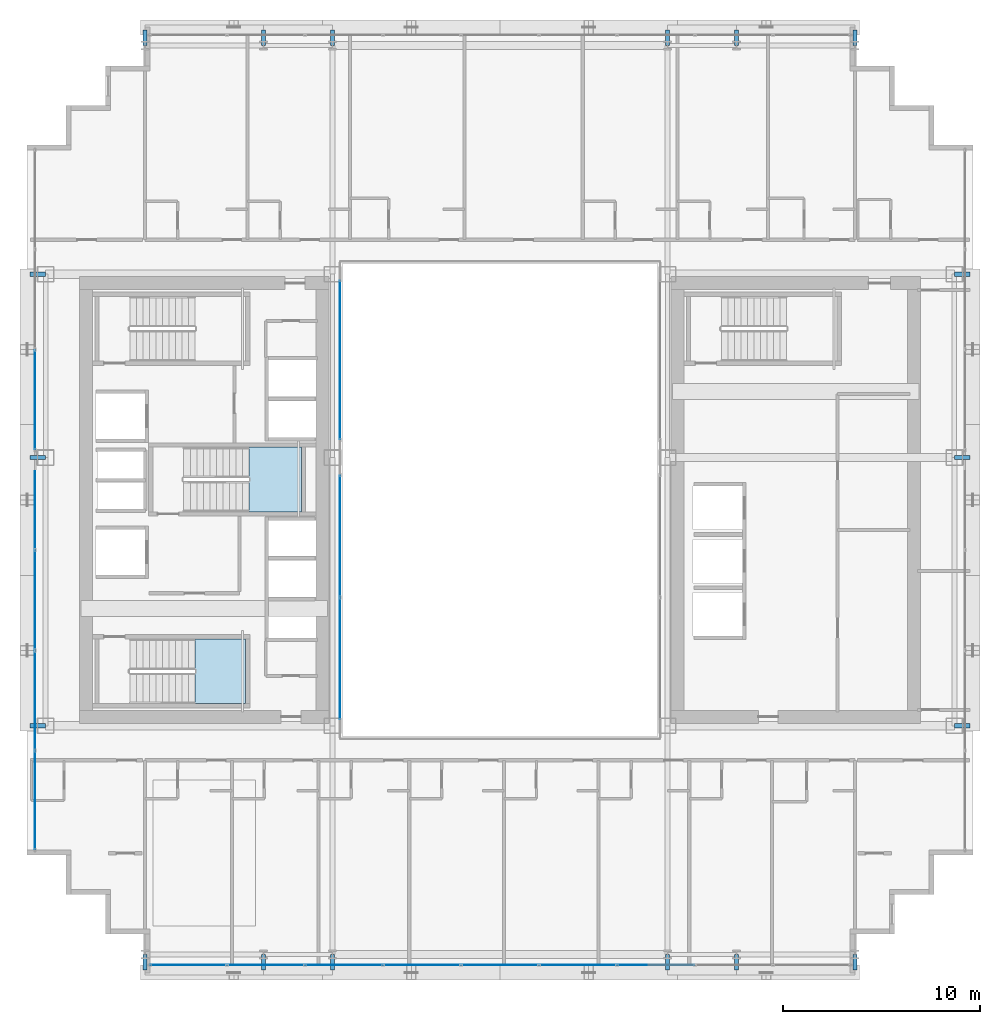
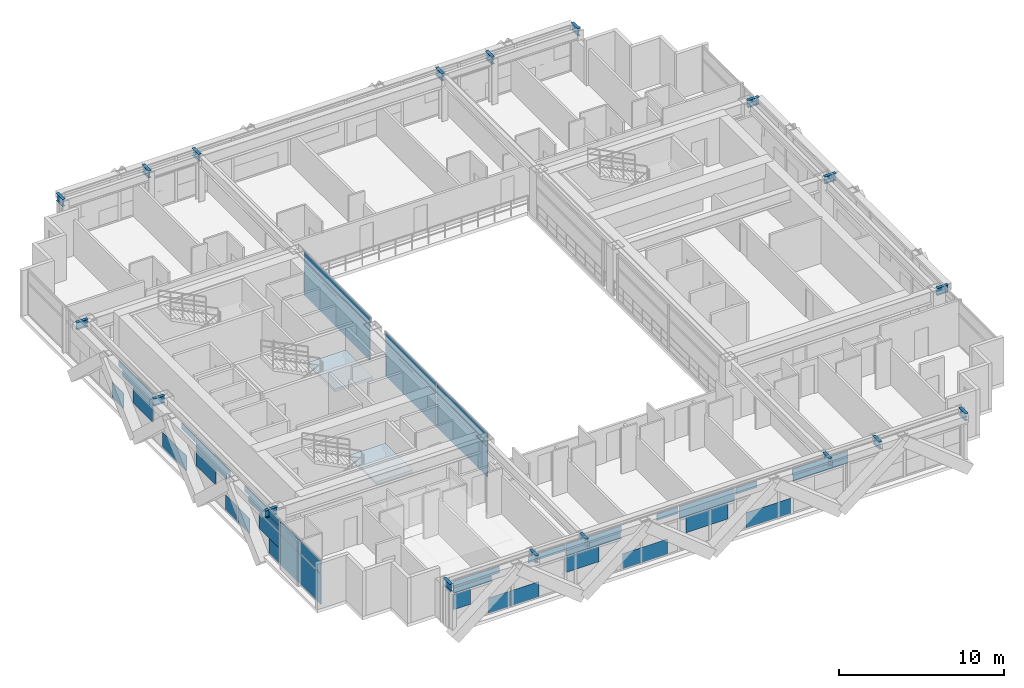
# One storey, part 26 of 39: 40 plates, 18 beams, 2 slabs, 6 elements without a shape of their own.
"""IFC4 building model written with IfcOpenShell, lengths in metres."""

from ifc_helpers import new_model, si_unit, direction, frame, origin, origin_2d, place, context, subcontext, project, spatial, polyline, rectangle, i_section, outline, extrude, source, transform, mapped, material, layer, layer_set, material_profile, profile_set, type_object, element, aggregate, save


model = new_model("IFC4")

# Units and contexts
model_context = context("Model", 3, precision=1e-05, world=origin(), true_north=direction((0.0, 1.0)))
body_context = subcontext(model_context, "Body", "Model", "MODEL_VIEW")
ifc_project = project(units=[si_unit("LENGTHUNIT", "METRE"), si_unit("AREAUNIT", "SQUARE_METRE"), si_unit("VOLUMEUNIT", "CUBIC_METRE"), si_unit("PLANEANGLEUNIT", "RADIAN"), si_unit("MASSUNIT", "GRAM", prefix="KILO")], contexts=[model_context])

# Site, building, storey
site_placement = place(None, origin())
site = spatial("IfcSite", under=ifc_project, at=site_placement, CompositionType="ELEMENT")
building_placement = place(site_placement, origin())
building = spatial("IfcBuilding", under=site, at=building_placement, Name="Ocotamira Hotel", CompositionType="ELEMENT")
storey_placement = place(building_placement, frame((0.0, 0.0, 104.39990234375)))
storey = spatial("IfcBuildingStorey", under=building, at=storey_placement, Name="L25", CompositionType="ELEMENT", Elevation=104.39990234375)

# Beams
ifc_material_1 = material(Name="Steel ASTM A992 Grade 50", Category="steel")
ifc_material_profile = material_profile(ifc_material_1, i_section(OverallWidth=0.2099609375, OverallDepth=0.537109375, WebThickness=0.010986328125, FlangeThickness=0.017333984375, FilletRadius=0.012939453125, at=origin_2d()), Name="W21X68")
ifc_profile_set = profile_set([ifc_material_profile], Name="Steel ASTM A992 Grade 50")
beam_type = type_object("IfcBeamType", Name="BM-SEC-W21X68", PredefinedType="JOIST", material=ifc_profile_set)
shared_shape_1 = source(origin(), body_context, "Body", "SweptSolid", [
    extrude(i_section(OverallWidth=0.2099609375, OverallDepth=0.537109375, WebThickness=0.010986328125, FlangeThickness=0.017333984375, FilletRadius=0.012939453125, at=origin_2d()), origin(), (0.0, 0.0, 1.0), 0.800048828125),
])
for number, where, z_axis, x_axis, name in (
    (1, (14.0, 2.949951171875, 3.091552734375), (0.0, -1.0, 0.0), (1.0, 0.0, 0.0), "L25 South Edge Header X14"),
    (2, (14.0, 49.050048828125, 3.091552734375), (0.0, 1.0, 0.0), (-1.0, 0.0, 0.0), "L25 North Edge Header X14"),
    (3, (20.0, 2.949951171875, 3.091552734375), (0.0, -1.0, 0.0), (1.0, 0.0, 0.0), "L25 South Edge Header X20"),
    (4, (20.0, 49.050048828125, 3.091552734375), (0.0, 1.0, 0.0), (-1.0, 0.0, 0.0), "L25 North Edge Header X20"),
    (5, (23.5, 2.949951171875, 3.091552734375), (0.0, -1.0, 0.0), (1.0, 0.0, 0.0), "L25 South Edge Header X23.5"),
    (6, (23.5, 49.050048828125, 3.091552734375), (0.0, 1.0, 0.0), (-1.0, 0.0, 0.0), "L25 North Edge Header X23.5"),
    (7, (40.5, 2.949951171875, 3.091552734375), (0.0, -1.0, 0.0), (1.0, 0.0, 0.0), "L25 South Edge Header X40.5"),
    (8, (40.5, 49.050048828125, 3.091552734375), (0.0, 1.0, 0.0), (-1.0, 0.0, 0.0), "L25 North Edge Header X40.5"),
    (9, (44.0, 2.949951171875, 3.091552734375), (0.0, -1.0, 0.0), (1.0, 0.0, 0.0), "L25 South Edge Header X44"),
    (10, (44.0, 49.050048828125, 3.091552734375), (0.0, 1.0, 0.0), (-1.0, 0.0, 0.0), "L25 North Edge Header X44"),
    (11, (50.0, 2.949951171875, 3.091552734375), (0.0, -1.0, 0.0), (1.0, 0.0, 0.0), "L25 South Edge Header X50"),
    (12, (50.0, 49.050048828125, 3.091552734375), (0.0, 1.0, 0.0), (-1.0, 0.0, 0.0), "L25 North Edge Header X50"),
    (13, (8.949951171875, 14.550048828125, 3.091552734375), (-1.0, 0.0, 0.0), (0.0, -1.0, 0.0), "L25 West Edge Header Y14.55"),
    (14, (55.050048828125, 14.550048828125, 3.091552734375), (1.0, 0.0, 0.0), (0.0, 1.0, 0.0), "L25 East Edge Header Y14.55"),
    (15, (8.949951171875, 28.14990234375, 3.091552734375), (-1.0, 0.0, 0.0), (0.0, -1.0, 0.0), "L25 West Edge Header Y28.15"),
    (16, (55.050048828125, 28.14990234375, 3.091552734375), (1.0, 0.0, 0.0), (0.0, 1.0, 0.0), "L25 East Edge Header Y28.15"),
    (17, (8.949951171875, 37.449951171875, 3.091552734375), (-1.0, 0.0, 0.0), (0.0, -1.0, 0.0), "L25 West Edge Header Y37.45"),
    (18, (55.050048828125, 37.449951171875, 3.091552734375), (1.0, 0.0, 0.0), (0.0, 1.0, 0.0), "L25 East Edge Header Y37.45"),
):
    element("IfcBeam", number, at=place(storey_placement, frame(where, z_axis=z_axis, x_axis=x_axis)), inside=storey, type_object=beam_type, Name=name, PredefinedType="JOIST", context=body_context, shape_type="MappedRepresentation", body=[
        mapped(shared_shape_1, transform((0.0, 0.0, 0.0), scale=1.0)),
    ])

# Stair, slab
ifc_material_2 = material(Name="Concrete C40/50", Category="concrete")
stair_type = type_object("IfcStairType", Name="ST-CORE-1560", PredefinedType="HALF_TURN_STAIR", material=ifc_material_2)
stair_1_placement = place(storey_placement, origin())
stair_1 = element("IfcStair", 19, at=stair_1_placement, inside=storey, type_object=stair_type, Name="L25 Exit Stair ST-1", PredefinedType="HALF_TURN_STAIR")
ifc_layer_1 = layer(ifc_material_2, 0.199951171875)
ifc_layer_set_1 = layer_set([ifc_layer_1], Name="Concrete C40/50")
slab_type = type_object("IfcSlabType", Name="SLB-LAND-200", PredefinedType="LANDING", material=ifc_layer_set_1)
slab_1_placement = place(storey_placement, frame((0.0, 0.0, 1.60009765625)))
slab_1 = element("IfcSlab", 20, at=slab_1_placement, type_object=slab_type, Name="ST-1 landing 1", PredefinedType="LANDING", context=body_context, shape_type="SweptSolid", body=[
    extrude(outline(polyline([(16.530029296875, 15.669921875), (19.090087890625, 15.669921875), (19.090087890625, 18.949951171875), (16.530029296875, 18.949951171875), (16.530029296875, 15.669921875)])), origin(), (0.0, 0.0, 1.0), 0.199951171875),
])
aggregate(stair_1, [slab_1])

stair_2_placement = place(storey_placement, origin())
stair_2 = element("IfcStair", 21, at=stair_2_placement, inside=storey, type_object=stair_type, Name="L25 Exit Stair ST-3", PredefinedType="HALF_TURN_STAIR")
slab_2_placement = place(storey_placement, frame((0.0, 0.0, 1.60009765625)))
slab_2 = element("IfcSlab", 22, at=slab_2_placement, type_object=slab_type, Name="ST-3 landing 1", PredefinedType="LANDING", context=body_context, shape_type="SweptSolid", body=[
    extrude(outline(polyline([(19.260009765625, 25.39990234375), (21.919921875, 25.39990234375), (21.919921875, 28.679931640625), (19.260009765625, 28.679931640625), (19.260009765625, 25.39990234375)])), origin(), (0.0, 0.0, 1.0), 0.199951171875),
])
aggregate(stair_2, [slab_2])

# Curtain wall, plate
ifc_material_3 = material(Name="Anodised pale-metal aluminium and solar glass", Category="aluminium")
ifc_layer_2 = layer(ifc_material_3, 0.179931640625)
ifc_layer_set_2 = layer_set([ifc_layer_2], Name="Anodised pale-metal aluminium and solar glass")
curtain_wall_type_1 = type_object("IfcCurtainWallType", Name="CW-SYS3-Z2", PredefinedType="NOTDEFINED", material=ifc_layer_set_2)
curtain_wall_1_placement = place(storey_placement, origin())
curtain_wall_1 = element("IfcCurtainWall", 23, at=curtain_wall_1_placement, inside=storey, type_object=curtain_wall_type_1, Name="L25 Curtain Wall CW-3 CW-L25-W", PredefinedType="NOTDEFINED")
ifc_material_4 = material(Name="Double-silver low-E insulated solar glass", Category="glass")
ifc_layer_3 = layer(ifc_material_4, 0.031982421875)
ifc_layer_set_3 = layer_set([ifc_layer_3], Name="Double-silver low-E insulated solar glass")
plate_type = type_object("IfcPlateType", Name="CWP-VISION-32", PredefinedType="CURTAIN_PANEL", material=ifc_layer_set_3)
shared_shape_2 = source(origin(), body_context, "Body", "SweptSolid", [
    extrude(rectangle(XDim=4.9658203125, YDim=0.031982421875, at=origin_2d()), origin(), (0.0, 0.0, 1.0), 2.237548828125),
])
plate_1_placement = place(storey_placement, frame((8.419921875, 10.762939453125, 0.0751953125), z_axis=(0.0, 0.0, 1.0), x_axis=(0.0, 1.0, 0.0)))
plate_1 = element("IfcPlate", 24, at=plate_1_placement, type_object=plate_type, Name="CW-3 panel 1.1", PredefinedType="CURTAIN_PANEL", context=body_context, shape_type="MappedRepresentation", body=[
    mapped(shared_shape_2, transform((0.0, 0.0, 0.0), scale=1.0)),
])

# Curtain wall, plates
ifc_layer_4 = layer(ifc_material_3, 0.159912109375)
ifc_layer_set_4 = layer_set([ifc_layer_4], Name="Anodised pale-metal aluminium and solar glass")
curtain_wall_type_2 = type_object("IfcCurtainWallType", Name="CW-SYS6-ATR", PredefinedType="NOTDEFINED", material=ifc_layer_set_4)
curtain_wall_2_placement = place(storey_placement, origin())
curtain_wall_2 = element("IfcCurtainWall", 25, at=curtain_wall_2_placement, inside=storey, type_object=curtain_wall_type_2, Name="L25 Curtain Wall CW-6 CW-L25-ATRW1", PredefinedType="NOTDEFINED")
shared_shape_3 = source(origin(), body_context, "Body", "SweptSolid", [
    extrude(rectangle(XDim=6.1298828125, YDim=0.031982421875, at=origin_2d()), origin(), (0.0, 0.0, 1.0), 2.237548828125),
])
plate_2_placement = place(storey_placement, frame((23.8798828125, 17.945068359375, 0.0751953125), z_axis=(0.0, 0.0, 1.0), x_axis=(0.0, 1.0, 0.0)))
plate_2 = element("IfcPlate", 26, at=plate_2_placement, type_object=plate_type, Name="CW-6 panel 1.1", PredefinedType="CURTAIN_PANEL", context=body_context, shape_type="MappedRepresentation", body=[
    mapped(shared_shape_3, transform((0.0, 0.0, 0.0), scale=1.0)),
])
plate_3_placement = place(storey_placement, frame((23.8798828125, 24.155029296875, 0.0751953125), z_axis=(0.0, 0.0, 1.0), x_axis=(0.0, 1.0, 0.0)))
plate_3 = element("IfcPlate", 27, at=plate_3_placement, type_object=plate_type, Name="CW-6 panel 2.1", PredefinedType="CURTAIN_PANEL", context=body_context, shape_type="MappedRepresentation", body=[
    mapped(shared_shape_3, transform((0.0, 0.0, 0.0), scale=1.0)),
])

# Curtain wall, plate
curtain_wall_3_placement = place(storey_placement, origin())
curtain_wall_3 = element("IfcCurtainWall", 28, at=curtain_wall_3_placement, inside=storey, type_object=curtain_wall_type_2, Name="L25 Curtain Wall CW-6 CW-L25-ATRW2", PredefinedType="NOTDEFINED")
shared_shape_4 = source(origin(), body_context, "Body", "SweptSolid", [
    extrude(rectangle(XDim=8.0400390625, YDim=0.031982421875, at=origin_2d()), origin(), (0.0, 0.0, 1.0), 2.237548828125),
])
plate_4_placement = place(storey_placement, frame((23.8798828125, 33.10009765625, 0.0751953125), z_axis=(0.0, 0.0, 1.0), x_axis=(0.0, 1.0, 0.0)))
plate_4 = element("IfcPlate", 29, at=plate_4_placement, type_object=plate_type, Name="CW-6 panel 1.1", PredefinedType="CURTAIN_PANEL", context=body_context, shape_type="MappedRepresentation", body=[
    mapped(shared_shape_4, transform((0.0, 0.0, 0.0), scale=1.0)),
])

# Curtain wall, plates
curtain_wall_4_placement = place(storey_placement, origin())
curtain_wall_4 = element("IfcCurtainWall", 30, at=curtain_wall_4_placement, inside=storey, type_object=curtain_wall_type_1, Name="L25 Curtain Wall CW-3 CW-L25-S1", PredefinedType="NOTDEFINED")
shared_shape_5 = source(origin(), body_context, "Body", "SweptSolid", [
    extrude(rectangle(XDim=1.184326171875, YDim=0.031982421875, at=origin_2d()), origin(), (0.0, 0.0, 1.0), 1.118896484375),
])
plate_5_placement = place(storey_placement, frame((14.872314453125, 2.419921875, 1.19384765625), z_axis=(0.0, 0.0, 1.0), x_axis=(1.0, 0.0, 0.0)))
plate_5 = element("IfcPlate", 31, at=plate_5_placement, type_object=plate_type, Name="CW-3 panel 1.1.1", PredefinedType="CURTAIN_PANEL", context=body_context, shape_type="MappedRepresentation", body=[
    mapped(shared_shape_5, transform((0.0, 0.0, 0.0), scale=1.0)),
])
shared_shape_6 = source(origin(), body_context, "Body", "SweptSolid", [
    extrude(rectangle(XDim=2.676513671875, YDim=0.031982421875, at=origin_2d()), origin(), (0.0, 0.0, 1.0), 0.39453125),
])
plate_6_placement = place(storey_placement, frame((15.618408203125, 2.419921875, 2.3876953125), z_axis=(0.0, 0.0, 1.0), x_axis=(1.0, 0.0, 0.0)))
plate_6 = element("IfcPlate", 32, at=plate_6_placement, type_object=plate_type, Name="CW-3 panel 1.2.1", PredefinedType="CURTAIN_PANEL", context=body_context, shape_type="MappedRepresentation", body=[
    mapped(shared_shape_6, transform((0.0, 0.0, 0.0), scale=1.0)),
])
shared_shape_7 = source(origin(), body_context, "Body", "SweptSolid", [
    extrude(rectangle(XDim=3.208740234375, YDim=0.031982421875, at=origin_2d()), origin(), (0.0, 0.0, 1.0), 0.4716796875),
])
plate_7_placement = place(storey_placement, frame((15.884521484375, 2.419921875, 2.8134765625), z_axis=(0.0, 0.0, 1.0), x_axis=(1.0, 0.0, 0.0)))
plate_7 = element("IfcPlate", 33, at=plate_7_placement, type_object=plate_type, Name="CW-3 panel 1.2.2", PredefinedType="CURTAIN_PANEL", context=body_context, shape_type="MappedRepresentation", body=[
    mapped(shared_shape_7, transform((0.0, 0.0, 0.0), scale=1.0)),
])
shared_shape_8 = source(origin(), body_context, "Body", "SweptSolid", [
    extrude(rectangle(XDim=2.559814453125, YDim=0.031982421875, at=origin_2d()), origin(), (0.0, 0.0, 1.0), 0.4716796875),
])
plate_8_placement = place(storey_placement, frame((20.791259765625, 2.419921875, 2.8134765625), z_axis=(0.0, 0.0, 1.0), x_axis=(1.0, 0.0, 0.0)))
plate_8 = element("IfcPlate", 34, at=plate_8_placement, type_object=plate_type, Name="CW-3 panel 2.2.1", PredefinedType="CURTAIN_PANEL", context=body_context, shape_type="MappedRepresentation", body=[
    mapped(shared_shape_8, transform((0.0, 0.0, 0.0), scale=1.0)),
])
shared_shape_9 = source(origin(), body_context, "Body", "SweptSolid", [
    extrude(rectangle(XDim=2.313232421875, YDim=0.031982421875, at=origin_2d()), origin(), (0.0, 0.0, 1.0), 1.118896484375),
])
plate_9_placement = place(storey_placement, frame((23.3076171875, 2.419921875, 1.19384765625), z_axis=(0.0, 0.0, 1.0), x_axis=(1.0, 0.0, 0.0)))
plate_9 = element("IfcPlate", 35, at=plate_9_placement, type_object=plate_type, Name="CW-3 panel 3.1.1", PredefinedType="CURTAIN_PANEL", context=body_context, shape_type="MappedRepresentation", body=[
    mapped(shared_shape_9, transform((0.0, 0.0, 0.0), scale=1.0)),
])
shared_shape_10 = source(origin(), body_context, "Body", "SweptSolid", [
    extrude(rectangle(XDim=3.805419921875, YDim=0.031982421875, at=origin_2d()), origin(), (0.0, 0.0, 1.0), 0.42578125),
])
plate_10_placement = place(storey_placement, frame((24.0537109375, 2.419921875, 2.3876953125), z_axis=(0.0, 0.0, 1.0), x_axis=(1.0, 0.0, 0.0)))
plate_10 = element("IfcPlate", 36, at=plate_10_placement, type_object=plate_type, Name="CW-3 panel 3.2.1", PredefinedType="CURTAIN_PANEL", context=body_context, shape_type="MappedRepresentation", body=[
    mapped(shared_shape_10, transform((0.0, 0.0, 0.0), scale=1.0)),
])
plate_11_placement = place(storey_placement, frame((39.9462890625, 2.419921875, 2.3876953125), z_axis=(0.0, 0.0, 1.0), x_axis=(1.0, 0.0, 0.0)))
plate_11 = element("IfcPlate", 37, at=plate_11_placement, type_object=plate_type, Name="CW-3 panel 7.2.2", PredefinedType="CURTAIN_PANEL", context=body_context, shape_type="MappedRepresentation", body=[
    mapped(shared_shape_10, transform((0.0, 0.0, 0.0), scale=1.0)),
])
shared_shape_11 = source(origin(), body_context, "Body", "SweptSolid", [
    extrude(rectangle(XDim=3.87548828125, YDim=0.031982421875, at=origin_2d()), origin(), (0.0, 0.0, 1.0), 0.4716796875),
])
plate_12_placement = place(storey_placement, frame((24.0888671875, 2.419921875, 2.8134765625), z_axis=(0.0, 0.0, 1.0), x_axis=(1.0, 0.0, 0.0)))
plate_12 = element("IfcPlate", 38, at=plate_12_placement, type_object=plate_type, Name="CW-3 panel 3.2.2", PredefinedType="CURTAIN_PANEL", context=body_context, shape_type="MappedRepresentation", body=[
    mapped(shared_shape_11, transform((0.0, 0.0, 0.0), scale=1.0)),
])
plate_13_placement = place(storey_placement, frame((39.9111328125, 2.419921875, 2.8134765625), z_axis=(0.0, 0.0, 1.0), x_axis=(1.0, 0.0, 0.0)))
plate_13 = element("IfcPlate", 39, at=plate_13_placement, type_object=plate_type, Name="CW-3 panel 7.2.1", PredefinedType="CURTAIN_PANEL", context=body_context, shape_type="MappedRepresentation", body=[
    mapped(shared_shape_11, transform((0.0, 0.0, 0.0), scale=1.0)),
])
shared_shape_12 = source(origin(), body_context, "Body", "SweptSolid", [
    extrude(rectangle(XDim=1.470947265625, YDim=0.031982421875, at=origin_2d()), origin(), (0.0, 0.0, 1.0), 0.4716796875),
])
plate_14_placement = place(storey_placement, frame((29.24658203125, 2.419921875, 2.8134765625), z_axis=(0.0, 0.0, 1.0), x_axis=(1.0, 0.0, 0.0)))
plate_14 = element("IfcPlate", 40, at=plate_14_placement, type_object=plate_type, Name="CW-3 panel 4.2.1", PredefinedType="CURTAIN_PANEL", context=body_context, shape_type="MappedRepresentation", body=[
    mapped(shared_shape_12, transform((0.0, 0.0, 0.0), scale=1.0)),
])
plate_15_placement = place(storey_placement, frame((34.75341796875, 2.419921875, 2.8134765625), z_axis=(0.0, 0.0, 1.0), x_axis=(1.0, 0.0, 0.0)))
plate_15 = element("IfcPlate", 41, at=plate_15_placement, type_object=plate_type, Name="CW-3 panel 6.2.1", PredefinedType="CURTAIN_PANEL", context=body_context, shape_type="MappedRepresentation", body=[
    mapped(shared_shape_12, transform((0.0, 0.0, 0.0), scale=1.0)),
])
shared_shape_13 = source(origin(), body_context, "Body", "SweptSolid", [
    extrude(rectangle(XDim=2.9287109375, YDim=0.031982421875, at=origin_2d()), origin(), (0.0, 0.0, 1.0), 1.118896484375),
])
plate_16_placement = place(storey_placement, frame((32.0, 2.419921875, 1.19384765625), z_axis=(0.0, 0.0, 1.0), x_axis=(1.0, 0.0, 0.0)))
plate_16 = element("IfcPlate", 42, at=plate_16_placement, type_object=plate_type, Name="CW-3 panel 5.1.1", PredefinedType="CURTAIN_PANEL", context=body_context, shape_type="MappedRepresentation", body=[
    mapped(shared_shape_13, transform((0.0, 0.0, 0.0), scale=1.0)),
])
shared_shape_14 = source(origin(), body_context, "Body", "SweptSolid", [
    extrude(rectangle(XDim=3.87548828125, YDim=0.031982421875, at=origin_2d()), origin(), (0.0, 0.0, 1.0), 0.8974609375),
])
plate_17_placement = place(storey_placement, frame((32.0, 2.419921875, 2.3876953125), z_axis=(0.0, 0.0, 1.0), x_axis=(1.0, 0.0, 0.0)))
plate_17 = element("IfcPlate", 43, at=plate_17_placement, type_object=plate_type, Name="CW-3 panel 5.2", PredefinedType="CURTAIN_PANEL", context=body_context, shape_type="MappedRepresentation", body=[
    mapped(shared_shape_14, transform((0.0, 0.0, 0.0), scale=1.0)),
])

# Plate
shared_shape_15 = source(origin(), body_context, "Body", "SweptSolid", [
    extrude(rectangle(XDim=4.9658203125, YDim=0.031982421875, at=origin_2d()), origin(), (0.0, 0.0, 1.0), 0.8974609375),
])
plate_18_placement = place(storey_placement, frame((8.419921875, 10.762939453125, 2.3876953125), z_axis=(0.0, 0.0, 1.0), x_axis=(0.0, 1.0, 0.0)))
plate_18 = element("IfcPlate", 44, at=plate_18_placement, type_object=plate_type, Name="CW-3 panel 1.2", PredefinedType="CURTAIN_PANEL", context=body_context, shape_type="MappedRepresentation", body=[
    mapped(shared_shape_15, transform((0.0, 0.0, 0.0), scale=1.0)),
])

shared_shape_16 = source(origin(), body_context, "Body", "SweptSolid", [
    extrude(rectangle(XDim=2.426513671875, YDim=0.031982421875, at=origin_2d()), origin(), (0.0, 0.0, 1.0), 1.118896484375),
])
plate_19_placement = place(storey_placement, frame((8.419921875, 14.538818359375, 1.19384765625), z_axis=(0.0, 0.0, 1.0), x_axis=(0.0, 1.0, 0.0)))
plate_19 = element("IfcPlate", 45, at=plate_19_placement, type_object=plate_type, Name="CW-3 panel 2.1.2", PredefinedType="CURTAIN_PANEL", context=body_context, shape_type="MappedRepresentation", body=[
    mapped(shared_shape_16, transform((0.0, 0.0, 0.0), scale=1.0)),
])

shared_shape_17 = source(origin(), body_context, "Body", "SweptSolid", [
    extrude(rectangle(XDim=3.69189453125, YDim=0.031982421875, at=origin_2d()), origin(), (0.0, 0.0, 1.0), 0.414306640625),
])
plate_20_placement = place(storey_placement, frame((8.419921875, 15.171630859375, 2.3876953125), z_axis=(0.0, 0.0, 1.0), x_axis=(0.0, 1.0, 0.0)))
plate_20 = element("IfcPlate", 46, at=plate_20_placement, type_object=plate_type, Name="CW-3 panel 2.2.1", PredefinedType="CURTAIN_PANEL", context=body_context, shape_type="MappedRepresentation", body=[
    mapped(shared_shape_17, transform((0.0, 0.0, 0.0), scale=1.0)),
])

shared_shape_18 = source(origin(), body_context, "Body", "SweptSolid", [
    extrude(rectangle(XDim=4.16748046875, YDim=0.031982421875, at=origin_2d()), origin(), (0.0, 0.0, 1.0), 0.44873046875),
])
plate_21_placement = place(storey_placement, frame((8.419921875, 15.409423828125, 2.83642578125), z_axis=(0.0, 0.0, 1.0), x_axis=(0.0, 1.0, 0.0)))
plate_21 = element("IfcPlate", 47, at=plate_21_placement, type_object=plate_type, Name="CW-3 panel 2.2.2", PredefinedType="CURTAIN_PANEL", context=body_context, shape_type="MappedRepresentation", body=[
    mapped(shared_shape_18, transform((0.0, 0.0, 0.0), scale=1.0)),
])

shared_shape_19 = source(origin(), body_context, "Body", "SweptSolid", [
    extrude(rectangle(XDim=2.404296875, YDim=0.031982421875, at=origin_2d()), origin(), (0.0, 0.0, 1.0), 1.118896484375),
])
plate_22_placement = place(storey_placement, frame((8.419921875, 22.183349609375, 1.19384765625), z_axis=(0.0, 0.0, 1.0), x_axis=(0.0, 1.0, 0.0)))
plate_22 = element("IfcPlate", 48, at=plate_22_placement, type_object=plate_type, Name="CW-3 panel 3.1.2", PredefinedType="CURTAIN_PANEL", context=body_context, shape_type="MappedRepresentation", body=[
    mapped(shared_shape_19, transform((0.0, 0.0, 0.0), scale=1.0)),
])

plate_23_placement = place(storey_placement, frame((8.419921875, 29.816650390625, 1.19384765625), z_axis=(0.0, 0.0, 1.0), x_axis=(0.0, 1.0, 0.0)))
plate_23 = element("IfcPlate", 49, at=plate_23_placement, type_object=plate_type, Name="CW-3 panel 5.1.1", PredefinedType="CURTAIN_PANEL", context=body_context, shape_type="MappedRepresentation", body=[
    mapped(shared_shape_19, transform((0.0, 0.0, 0.0), scale=1.0)),
])

shared_shape_20 = source(origin(), body_context, "Body", "SweptSolid", [
    extrude(rectangle(XDim=4.17724609375, YDim=0.031982421875, at=origin_2d()), origin(), (0.0, 0.0, 1.0), 0.44873046875),
])
plate_24_placement = place(storey_placement, frame((8.419921875, 21.32861328125, 2.83642578125), z_axis=(0.0, 0.0, 1.0), x_axis=(0.0, 1.0, 0.0)))
plate_24 = element("IfcPlate", 50, at=plate_24_placement, type_object=plate_type, Name="CW-3 panel 3.2.1", PredefinedType="CURTAIN_PANEL", context=body_context, shape_type="MappedRepresentation", body=[
    mapped(shared_shape_20, transform((0.0, 0.0, 0.0), scale=1.0)),
])

plate_25_placement = place(storey_placement, frame((8.419921875, 30.67138671875, 2.83642578125), z_axis=(0.0, 0.0, 1.0), x_axis=(0.0, 1.0, 0.0)))
plate_25 = element("IfcPlate", 51, at=plate_25_placement, type_object=plate_type, Name="CW-3 panel 5.2.2", PredefinedType="CURTAIN_PANEL", context=body_context, shape_type="MappedRepresentation", body=[
    mapped(shared_shape_20, transform((0.0, 0.0, 0.0), scale=1.0)),
])

shared_shape_21 = source(origin(), body_context, "Body", "SweptSolid", [
    extrude(rectangle(XDim=3.70166015625, YDim=0.031982421875, at=origin_2d()), origin(), (0.0, 0.0, 1.0), 0.414306640625),
])
plate_26_placement = place(storey_placement, frame((8.419921875, 21.56640625, 2.3876953125), z_axis=(0.0, 0.0, 1.0), x_axis=(0.0, 1.0, 0.0)))
plate_26 = element("IfcPlate", 52, at=plate_26_placement, type_object=plate_type, Name="CW-3 panel 3.2.2", PredefinedType="CURTAIN_PANEL", context=body_context, shape_type="MappedRepresentation", body=[
    mapped(shared_shape_21, transform((0.0, 0.0, 0.0), scale=1.0)),
])

plate_27_placement = place(storey_placement, frame((8.419921875, 30.43359375, 2.3876953125), z_axis=(0.0, 0.0, 1.0), x_axis=(0.0, 1.0, 0.0)))
plate_27 = element("IfcPlate", 53, at=plate_27_placement, type_object=plate_type, Name="CW-3 panel 5.2.1", PredefinedType="CURTAIN_PANEL", context=body_context, shape_type="MappedRepresentation", body=[
    mapped(shared_shape_21, transform((0.0, 0.0, 0.0), scale=1.0)),
])

shared_shape_22 = source(origin(), body_context, "Body", "SweptSolid", [
    extrude(rectangle(XDim=1.629638671875, YDim=0.031982421875, at=origin_2d()), origin(), (0.0, 0.0, 1.0), 0.44873046875),
])
plate_28_placement = place(storey_placement, frame((8.419921875, 24.31201171875, 2.83642578125), z_axis=(0.0, 0.0, 1.0), x_axis=(0.0, 1.0, 0.0)))
plate_28 = element("IfcPlate", 54, at=plate_28_placement, type_object=plate_type, Name="CW-3 panel 4.2.1", PredefinedType="CURTAIN_PANEL", context=body_context, shape_type="MappedRepresentation", body=[
    mapped(shared_shape_22, transform((0.0, 0.0, 0.0), scale=1.0)),
])

shared_shape_23 = source(origin(), body_context, "Body", "SweptSolid", [
    extrude(rectangle(XDim=1.37060546875, YDim=0.031982421875, at=origin_2d()), origin(), (0.0, 0.0, 1.0), 1.118896484375),
])
plate_29_placement = place(storey_placement, frame((17.430419921875, 2.419921875, 0.0751953125), z_axis=(0.0, 0.0, 1.0), x_axis=(1.0, 0.0, 0.0)))
plate_29 = element("IfcPlate", 55, at=plate_29_placement, type_object=plate_type, Name="CW-3 panel 1.1.2", PredefinedType="CURTAIN_PANEL", context=body_context, shape_type="MappedRepresentation", body=[
    mapped(shared_shape_23, transform((0.0, 0.0, 0.0), scale=1.0)),
])

shared_shape_24 = source(origin(), body_context, "Body", "SweptSolid", [
    extrude(rectangle(XDim=2.059326171875, YDim=0.031982421875, at=origin_2d()), origin(), (0.0, 0.0, 1.0), 1.118896484375),
])
plate_30_placement = place(storey_placement, frame((19.225341796875, 2.419921875, 0.0751953125), z_axis=(0.0, 0.0, 1.0), x_axis=(1.0, 0.0, 0.0)))
plate_30 = element("IfcPlate", 56, at=plate_30_placement, type_object=plate_type, Name="CW-3 panel 2.1.1", PredefinedType="CURTAIN_PANEL", context=body_context, shape_type="MappedRepresentation", body=[
    mapped(shared_shape_24, transform((0.0, 0.0, 0.0), scale=1.0)),
])

shared_shape_25 = source(origin(), body_context, "Body", "SweptSolid", [
    extrude(rectangle(XDim=3.148193359375, YDim=0.031982421875, at=origin_2d()), origin(), (0.0, 0.0, 1.0), 1.118896484375),
])
plate_31_placement = place(storey_placement, frame((27.680908203125, 2.419921875, 0.0751953125), z_axis=(0.0, 0.0, 1.0), x_axis=(1.0, 0.0, 0.0)))
plate_31 = element("IfcPlate", 57, at=plate_31_placement, type_object=plate_type, Name="CW-3 panel 4.1.1", PredefinedType="CURTAIN_PANEL", context=body_context, shape_type="MappedRepresentation", body=[
    mapped(shared_shape_25, transform((0.0, 0.0, 0.0), scale=1.0)),
])

plate_32_placement = place(storey_placement, frame((36.319091796875, 2.419921875, 0.0751953125), z_axis=(0.0, 0.0, 1.0), x_axis=(1.0, 0.0, 0.0)))
plate_32 = element("IfcPlate", 58, at=plate_32_placement, type_object=plate_type, Name="CW-3 panel 6.1.1", PredefinedType="CURTAIN_PANEL", context=body_context, shape_type="MappedRepresentation", body=[
    mapped(shared_shape_25, transform((0.0, 0.0, 0.0), scale=1.0)),
])

aggregate(curtain_wall_4, [plate_5, plate_29, plate_6, plate_7, plate_30, plate_8, plate_9, plate_10, plate_12, plate_31, plate_14, plate_16, plate_17, plate_32, plate_15, plate_13, plate_11])

shared_shape_26 = source(origin(), body_context, "Body", "SweptSolid", [
    extrude(rectangle(XDim=1.240234375, YDim=0.031982421875, at=origin_2d()), origin(), (0.0, 0.0, 1.0), 1.118896484375),
])
plate_33_placement = place(storey_placement, frame((8.419921875, 13.94580078125, 0.0751953125), z_axis=(0.0, 0.0, 1.0), x_axis=(0.0, 1.0, 0.0)))
plate_33 = element("IfcPlate", 59, at=plate_33_placement, type_object=plate_type, Name="CW-3 panel 2.1.1", PredefinedType="CURTAIN_PANEL", context=body_context, shape_type="MappedRepresentation", body=[
    mapped(shared_shape_26, transform((0.0, 0.0, 0.0), scale=1.0)),
])

shared_shape_27 = source(origin(), body_context, "Body", "SweptSolid", [
    extrude(rectangle(XDim=1.413330078125, YDim=0.031982421875, at=origin_2d()), origin(), (0.0, 0.0, 1.0), 1.118896484375),
])
plate_34_placement = place(storey_placement, frame((8.419921875, 17.624755859375, 0.0751953125), z_axis=(0.0, 0.0, 1.0), x_axis=(0.0, 1.0, 0.0)))
plate_34 = element("IfcPlate", 60, at=plate_34_placement, type_object=plate_type, Name="CW-3 panel 2.1.3", PredefinedType="CURTAIN_PANEL", context=body_context, shape_type="MappedRepresentation", body=[
    mapped(shared_shape_27, transform((0.0, 0.0, 0.0), scale=1.0)),
])

shared_shape_28 = source(origin(), body_context, "Body", "SweptSolid", [
    extrude(rectangle(XDim=1.40380859375, YDim=0.031982421875, at=origin_2d()), origin(), (0.0, 0.0, 1.0), 1.118896484375),
])
plate_35_placement = place(storey_placement, frame((8.419921875, 19.11328125, 0.0751953125), z_axis=(0.0, 0.0, 1.0), x_axis=(0.0, 1.0, 0.0)))
plate_35 = element("IfcPlate", 61, at=plate_35_placement, type_object=plate_type, Name="CW-3 panel 3.1.1", PredefinedType="CURTAIN_PANEL", context=body_context, shape_type="MappedRepresentation", body=[
    mapped(shared_shape_28, transform((0.0, 0.0, 0.0), scale=1.0)),
])

plate_36_placement = place(storey_placement, frame((8.419921875, 32.88671875, 0.0751953125), z_axis=(0.0, 0.0, 1.0), x_axis=(0.0, 1.0, 0.0)))
plate_36 = element("IfcPlate", 62, at=plate_36_placement, type_object=plate_type, Name="CW-3 panel 5.1.2", PredefinedType="CURTAIN_PANEL", context=body_context, shape_type="MappedRepresentation", body=[
    mapped(shared_shape_28, transform((0.0, 0.0, 0.0), scale=1.0)),
])

shared_shape_29 = source(origin(), body_context, "Body", "SweptSolid", [
    extrude(rectangle(XDim=2.897216796875, YDim=0.031982421875, at=origin_2d()), origin(), (0.0, 0.0, 1.0), 1.118896484375),
])
plate_37_placement = place(storey_placement, frame((8.419921875, 26.0, 0.0751953125), z_axis=(0.0, 0.0, 1.0), x_axis=(0.0, 1.0, 0.0)))
plate_37 = element("IfcPlate", 63, at=plate_37_placement, type_object=plate_type, Name="CW-3 panel 4.1.1", PredefinedType="CURTAIN_PANEL", context=body_context, shape_type="MappedRepresentation", body=[
    mapped(shared_shape_29, transform((0.0, 0.0, 0.0), scale=1.0)),
])

aggregate(curtain_wall_1, [plate_1, plate_18, plate_33, plate_19, plate_34, plate_20, plate_21, plate_35, plate_22, plate_24, plate_26, plate_37, plate_28, plate_23, plate_36, plate_27, plate_25])

shared_shape_30 = source(origin(), body_context, "Body", "SweptSolid", [
    extrude(rectangle(XDim=6.1298828125, YDim=0.031982421875, at=origin_2d()), origin(), (0.0, 0.0, 1.0), 0.8974609375),
])
plate_38_placement = place(storey_placement, frame((23.8798828125, 17.945068359375, 2.3876953125), z_axis=(0.0, 0.0, 1.0), x_axis=(0.0, 1.0, 0.0)))
plate_38 = element("IfcPlate", 64, at=plate_38_placement, type_object=plate_type, Name="CW-6 panel 1.2", PredefinedType="CURTAIN_PANEL", context=body_context, shape_type="MappedRepresentation", body=[
    mapped(shared_shape_30, transform((0.0, 0.0, 0.0), scale=1.0)),
])

plate_39_placement = place(storey_placement, frame((23.8798828125, 24.155029296875, 2.3876953125), z_axis=(0.0, 0.0, 1.0), x_axis=(0.0, 1.0, 0.0)))
plate_39 = element("IfcPlate", 65, at=plate_39_placement, type_object=plate_type, Name="CW-6 panel 2.2", PredefinedType="CURTAIN_PANEL", context=body_context, shape_type="MappedRepresentation", body=[
    mapped(shared_shape_30, transform((0.0, 0.0, 0.0), scale=1.0)),
])

aggregate(curtain_wall_2, [plate_2, plate_38, plate_3, plate_39])

shared_shape_31 = source(origin(), body_context, "Body", "SweptSolid", [
    extrude(rectangle(XDim=8.0400390625, YDim=0.031982421875, at=origin_2d()), origin(), (0.0, 0.0, 1.0), 0.8974609375),
])
plate_40_placement = place(storey_placement, frame((23.8798828125, 33.10009765625, 2.3876953125), z_axis=(0.0, 0.0, 1.0), x_axis=(0.0, 1.0, 0.0)))
plate_40 = element("IfcPlate", 66, at=plate_40_placement, type_object=plate_type, Name="CW-6 panel 1.2", PredefinedType="CURTAIN_PANEL", context=body_context, shape_type="MappedRepresentation", body=[
    mapped(shared_shape_31, transform((0.0, 0.0, 0.0), scale=1.0)),
])

aggregate(curtain_wall_3, [plate_4, plate_40])

save(model, "model.ifc")
